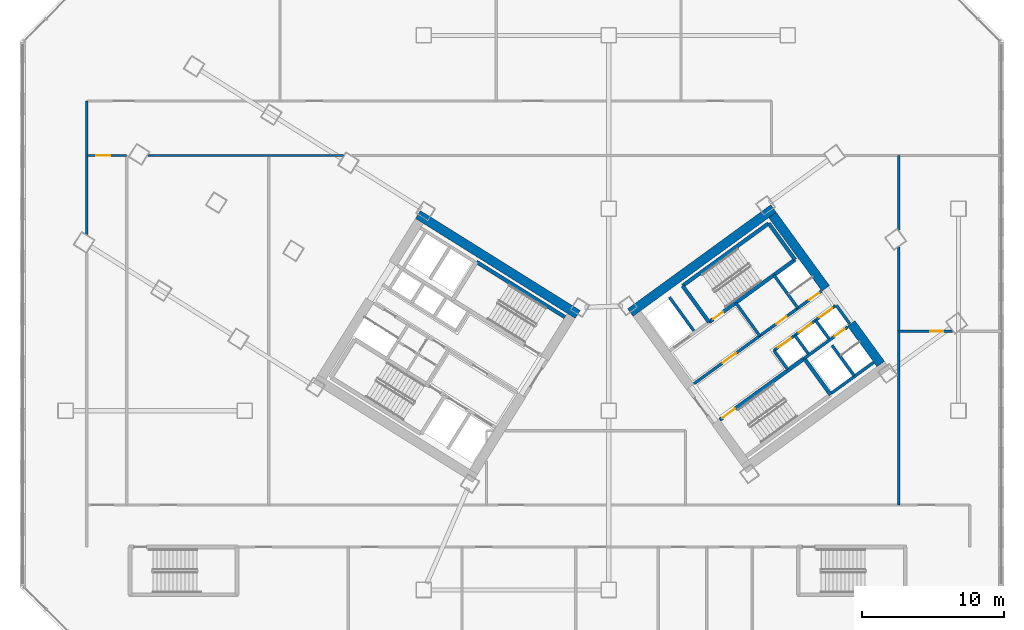
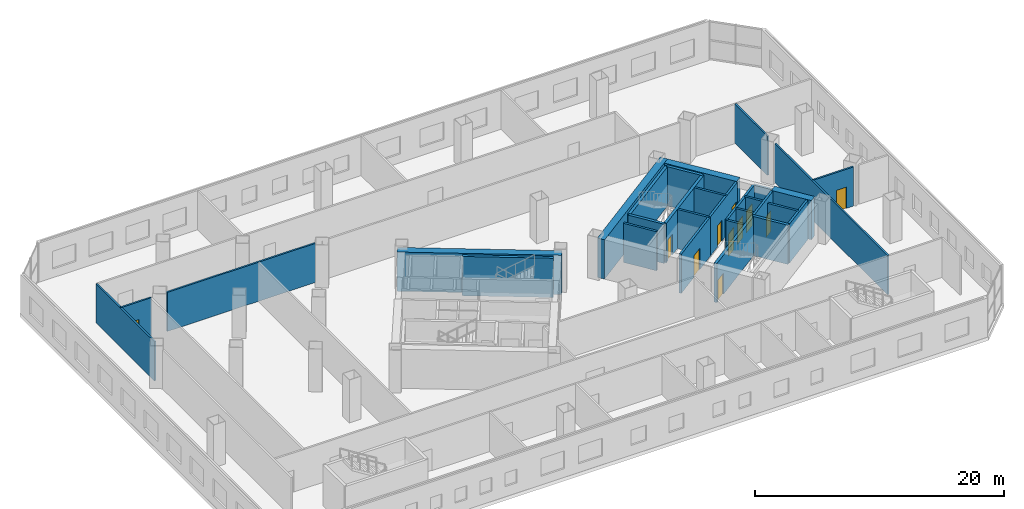
# One storey, part 13 of 22: 30 walls, 11 doors, 11 openings.
"""IFC4 building model written with IfcOpenShell, lengths in metres."""

from ifc_helpers import new_model, si_unit, direction, frame, frame_2d, origin, place, context, subcontext, project, spatial, rectangle, extrude, source, transform, mapped, material, layer, layer_set, type_object, element, fill, save


model = new_model("IFC4")

# Units and contexts
model_context = context("Model", 3, precision=1e-05, world=origin(), true_north=direction((0.0, 1.0)))
body_context = subcontext(model_context, "Body", "Model", "MODEL_VIEW")
ifc_project = project(units=[si_unit("LENGTHUNIT", "METRE"), si_unit("AREAUNIT", "SQUARE_METRE"), si_unit("VOLUMEUNIT", "CUBIC_METRE"), si_unit("PLANEANGLEUNIT", "RADIAN"), si_unit("MASSUNIT", "GRAM", prefix="KILO")], contexts=[model_context])

# Site, building, storey
site_placement = place(None, origin())
site = spatial("IfcSite", under=ifc_project, at=site_placement, CompositionType="ELEMENT")
building_placement = place(site_placement, origin())
building = spatial("IfcBuilding", under=site, at=building_placement, Name="Tlacorven Tower", CompositionType="ELEMENT")
storey_placement = place(building_placement, frame((0.0, 0.0, 10.199951171875)))
storey = spatial("IfcBuildingStorey", under=building, at=storey_placement, Name="L02", CompositionType="ELEMENT", Elevation=10.199951171875)

# Walls
ifc_material_1 = material(Name="Concrete C60/75", Category="concrete")
ifc_layer_1 = layer(ifc_material_1, 0.64990234375)
ifc_layer_set_1 = layer_set([ifc_layer_1], Name="Concrete C60/75")
wall_type_1 = type_object("IfcWallType", Name="WL-COR-650", PredefinedType="SHEAR", material=ifc_layer_set_1)
wall_1_placement = place(storey_placement, frame((40.615478515625, 23.9833984375, 0.0), z_axis=(0.0, 0.0, 1.0), x_axis=(-0.848045953968, 0.529922692436, 0.0)))
element("IfcWall", 1, at=wall_1_placement, inside=storey, type_object=wall_type_1, Name="L02 W core shear wall S1", PredefinedType="SHEAR", context=body_context, shape_type="SweptSolid", body=[
    extrude(rectangle(XDim=13.239990234375, YDim=0.64990234375, at=frame_2d((6.6201171875, 0.0))), origin(), (0.0, 0.0, 1.0), 3.85009765625),
])
wall_2_placement = place(storey_placement, frame((44.32470703125, 24.113037109375, 0.0), z_axis=(0.0, 0.0, 1.0), x_axis=(0.809012664862, 0.58779121131, 0.0)))
element("IfcWall", 2, at=wall_2_placement, inside=storey, type_object=wall_type_1, Name="L02 E core shear wall S2", PredefinedType="SHEAR", context=body_context, shape_type="SweptSolid", body=[
    extrude(rectangle(XDim=12.439697265625, YDim=0.64990234375, at=frame_2d((6.2197265625, 0.0))), origin(), (0.0, 0.0, 1.0), 3.85009765625),
])
wall_3_placement = place(storey_placement, frame((61.9287109375, 20.494384765625, 0.0), z_axis=(0.0, 0.0, 1.0), x_axis=(-0.58782982593, 0.808984607855, 0.0)))
element("IfcWall", 3, at=wall_3_placement, inside=storey, type_object=wall_type_1, Name="L02 E core end wall E2.1", PredefinedType="SHEAR", context=body_context, shape_type="SweptSolid", body=[
    extrude(rectangle(XDim=3.52490234375, YDim=0.64990234375, at=frame_2d((1.762451171875, 0.0))), origin(), (0.0, 0.0, 1.0), 3.85009765625),
])
wall_4_placement = place(storey_placement, frame((58.06396484375, 25.8134765625, 0.0), z_axis=(0.0, 0.0, 1.0), x_axis=(-0.58777996584, 0.809020835181, 0.0)))
element("IfcWall", 4, at=wall_4_placement, inside=storey, type_object=wall_type_1, Name="L02 E core end wall E2.2", PredefinedType="SHEAR", context=body_context, shape_type="SweptSolid", body=[
    extrude(rectangle(XDim=6.375, YDim=0.64990234375, at=frame_2d((3.1875, 0.0))), origin(), (0.0, 0.0, 1.0), 3.85009765625),
])
ifc_material_2 = material(Name="Gypsum plasterboard acoustic partition", Category="gypsum")
ifc_layer_2 = layer(ifc_material_2, 0.159912109375)
ifc_layer_set_2 = layer_set([ifc_layer_2], Name="Gypsum plasterboard acoustic partition")
wall_type_2 = type_object("IfcWallType", Name="WL-DEM-160", PredefinedType="PARTITIONING", material=ifc_layer_set_2)
wall_5_placement = place(storey_placement, frame((6.10009765625, 29.58740234375, 0.0), z_axis=(0.0, 0.0, 1.0), x_axis=(0.0, 1.0, 0.0)))
element("IfcWall", 5, at=wall_5_placement, inside=storey, type_object=wall_type_2, Name="L02 partition 75", PredefinedType="PARTITIONING", context=body_context, shape_type="SweptSolid", body=[
    extrude(rectangle(XDim=9.41259765625, YDim=0.159912109375, at=frame_2d((4.706298828125, 0.0))), origin(), (0.0, 0.0, 1.0), 3.840087890625),
])
wall_6_placement = place(storey_placement, frame((10.386474609375, 35.14990234375, 0.0), z_axis=(0.0, 0.0, 1.0), x_axis=(1.0, 0.0, 0.0)))
element("IfcWall", 6, at=wall_6_placement, inside=storey, type_object=wall_type_2, Name="L02 partition 77", PredefinedType="PARTITIONING", context=body_context, shape_type="SweptSolid", body=[
    extrude(rectangle(XDim=13.76806640625, YDim=0.159912109375, at=frame_2d((6.884033203125, 0.0))), origin(), (0.0, 0.0, 1.0), 3.840087890625),
])

# Wall, opening, door
wall_7_placement = place(storey_placement, frame((6.10009765625, 35.14990234375, 0.0), z_axis=(0.0, 0.0, 1.0), x_axis=(1.0, 0.0, 0.0)))
wall_7 = element("IfcWall", 7, at=wall_7_placement, inside=storey, type_object=wall_type_2, Name="L02 partition 80", PredefinedType="PARTITIONING", context=body_context, shape_type="SweptSolid", body=[
    extrude(rectangle(XDim=2.7998046875, YDim=0.159912109375, at=frame_2d((1.39990234375, 0.0))), origin(), (0.0, 0.0, 1.0), 3.840087890625),
])
opening_1_placement = place(wall_7_placement, frame((0.64990234375, 0.0, 0.0)))
opening_1 = element("IfcOpeningElement", 8, at=opening_1_placement, cuts=wall_7, Name="Opening D11", PredefinedType="OPENING", context=body_context, shape_type="SweptSolid", body=[
    extrude(rectangle(XDim=1.0, YDim=2.10009765625, at=frame_2d((0.5, 1.050048828125))), frame((0.0, 0.08984375, 0.0), z_axis=(0.0, -1.0, 0.0), x_axis=(1.0, 0.0, 0.0)), (0.0, 0.0, 1.0), 0.179931640625),
])
ifc_material_3 = material(Name="Fire-rated steel door assembly", Category="steel")
door_type_1 = type_object("IfcDoorType", Name="DR-FLT-FD60-1000", OperationType="NOTDEFINED", PredefinedType="DOOR", material=ifc_material_3)
shared_shape_1 = source(origin(), body_context, "Body", "SweptSolid", [
    extrude(rectangle(XDim=1.0, YDim=2.10009765625, at=frame_2d((0.5, 1.050048828125))), frame((0.0, 0.02490234375, 0.0), z_axis=(0.0, -1.0, 0.0), x_axis=(1.0, 0.0, 0.0)), (0.0, 0.0, 1.0), 0.050048828125),
])
door_1_placement = place(opening_1_placement, origin())
door_1 = element("IfcDoor", 9, at=door_1_placement, inside=storey, type_object=door_type_1, Name="L02 door 034", OperationType="SINGLE_SWING_LEFT", OverallHeight=2.10009765625, OverallWidth=1.0, PredefinedType="DOOR", context=body_context, shape_type="MappedRepresentation", body=[
    mapped(shared_shape_1, transform((0.0, 0.0, 0.0), scale=1.0)),
])
fill(opening_1, door_1)

# Walls
wall_8_placement = place(storey_placement, frame((63.199951171875, 10.580078125, 0.0), z_axis=(0.0, 0.0, 1.0), x_axis=(0.0, 1.0, 0.0)))
element("IfcWall", 10, at=wall_8_placement, inside=storey, type_object=wall_type_2, Name="L02 partition 85", PredefinedType="PARTITIONING", context=body_context, shape_type="SweptSolid", body=[
    extrude(rectangle(XDim=18.146728515625, YDim=0.159912109375, at=frame_2d((9.0732421875, 0.0))), origin(), (0.0, 0.0, 1.0), 3.840087890625),
])
wall_9_placement = place(storey_placement, frame((63.199951171875, 29.908447265625, 0.0), z_axis=(0.0, 0.0, 1.0), x_axis=(0.0, 1.0, 0.0)))
element("IfcWall", 11, at=wall_9_placement, inside=storey, type_object=wall_type_2, Name="L02 partition 85", PredefinedType="PARTITIONING", context=body_context, shape_type="SweptSolid", body=[
    extrude(rectangle(XDim=5.241455078125, YDim=0.159912109375, at=frame_2d((2.62060546875, 0.0))), origin(), (0.0, 0.0, 1.0), 3.840087890625),
])

# Wall, opening, door
wall_10_placement = place(storey_placement, frame((63.199951171875, 22.800048828125, 0.0), z_axis=(0.0, 0.0, 1.0), x_axis=(1.0, 0.0, 0.0)))
wall_10 = element("IfcWall", 12, at=wall_10_placement, inside=storey, type_object=wall_type_2, Name="L02 partition 88", PredefinedType="PARTITIONING", context=body_context, shape_type="SweptSolid", body=[
    extrude(rectangle(XDim=3.775390625, YDim=0.159912109375, at=frame_2d((1.8876953125, 0.0))), origin(), (0.0, 0.0, 1.0), 3.840087890625),
])
opening_2_placement = place(wall_10_placement, frame((2.199951171875, 0.0, 0.0)))
opening_2 = element("IfcOpeningElement", 13, at=opening_2_placement, cuts=wall_10, Name="Opening D12", PredefinedType="OPENING", context=body_context, shape_type="SweptSolid", body=[
    extrude(rectangle(XDim=0.919921875, YDim=2.080078125, at=frame_2d((0.4599609375, 1.0400390625))), frame((0.0, 0.08984375, 0.0), z_axis=(0.0, -1.0, 0.0), x_axis=(1.0, 0.0, 0.0)), (0.0, 0.0, 1.0), 0.179931640625),
])
ifc_material_4 = material(Name="Powder-coated aluminium and timber door", Category="wood")
door_type_2 = type_object("IfcDoorType", Name="DR-INT-ROOM-0920", OperationType="NOTDEFINED", PredefinedType="DOOR", material=ifc_material_4)
shared_shape_2 = source(origin(), body_context, "Body", "SweptSolid", [
    extrude(rectangle(XDim=0.919921875, YDim=2.080078125, at=frame_2d((0.4599609375, 1.0400390625))), frame((0.0, 0.02490234375, 0.0), z_axis=(0.0, -1.0, 0.0), x_axis=(1.0, 0.0, 0.0)), (0.0, 0.0, 1.0), 0.050048828125),
])
door_2_placement = place(opening_2_placement, origin())
door_2 = element("IfcDoor", 14, at=door_2_placement, inside=storey, type_object=door_type_2, Name="L02 door 041", OperationType="SINGLE_SWING_LEFT", OverallHeight=2.080078125, OverallWidth=0.919921875, PredefinedType="DOOR", context=body_context, shape_type="MappedRepresentation", body=[
    mapped(shared_shape_2, transform((0.0, 0.0, 0.0), scale=1.0)),
])
fill(opening_2, door_2)

ifc_material_5 = material(Name="Concrete C40/50", Category="concrete")
ifc_layer_3 = layer(ifc_material_5, 0.199951171875)
ifc_layer_set_3 = layer_set([ifc_layer_3], Name="Concrete C40/50")
wall_type_3 = type_object("IfcWallType", Name="WL-SHF-200", PredefinedType="STANDARD", material=ifc_layer_set_3)
wall_11_placement = place(storey_placement, frame((48.798828125, 19.106689453125, 0.0), z_axis=(0.0, 0.0, 1.0), x_axis=(0.809012959416, 0.587790805897, 0.0)))
wall_11 = element("IfcWall", 15, at=wall_11_placement, inside=storey, type_object=wall_type_3, Name="L02 Core E Smoke Lobby Wall", PredefinedType="STANDARD", context=body_context, shape_type="SweptSolid", body=[
    extrude(rectangle(XDim=5.7177734375, YDim=0.199951171875, at=frame_2d((2.85888671875, 0.0))), origin(), (0.0, 0.0, 1.0), 3.840087890625),
])
opening_3_placement = place(wall_11_placement, frame((2.498046875, 0.0, 0.0)))
opening_3 = element("IfcOpeningElement", 16, at=opening_3_placement, cuts=wall_11, Name="Opening D09", PredefinedType="OPENING", context=body_context, shape_type="SweptSolid", body=[
    extrude(rectangle(XDim=1.14990234375, YDim=2.10009765625, at=frame_2d((0.574951171875, 1.050048828125))), frame((0.0, 0.10986328125, 0.0), z_axis=(0.0, -1.0, 0.0), x_axis=(1.0, 0.0, 0.0)), (0.0, 0.0, 1.0), 0.219970703125),
])
door_type_3 = type_object("IfcDoorType", Name="DR-FFL-FD60-1150", OperationType="NOTDEFINED", PredefinedType="DOOR", material=ifc_material_3)
shared_shape_3 = source(origin(), body_context, "Body", "SweptSolid", [
    extrude(rectangle(XDim=1.14990234375, YDim=2.10009765625, at=frame_2d((0.574951171875, 1.050048828125))), frame((0.0, 0.02490234375, 0.0), z_axis=(0.0, -1.0, 0.0), x_axis=(1.0, 0.0, 0.0)), (0.0, 0.0, 1.0), 0.050048828125),
])
door_3_placement = place(opening_3_placement, origin())
door_3 = element("IfcDoor", 17, at=door_3_placement, inside=storey, type_object=door_type_3, Name="L02 Firefighting Lobby E Fire Door", OperationType="SINGLE_SWING_RIGHT", OverallHeight=2.10009765625, OverallWidth=1.14990234375, PredefinedType="DOOR", context=body_context, shape_type="MappedRepresentation", body=[
    mapped(shared_shape_3, transform((0.0, 0.0, 0.0), scale=1.0)),
])
fill(opening_3, door_3)

wall_12_placement = place(storey_placement, frame((56.552978515625, 20.884033203125, 0.0), z_axis=(0.0, 0.0, 1.0), x_axis=(0.809035789462, 0.587759382205, 0.0)))
wall_12 = element("IfcWall", 18, at=wall_12_placement, inside=storey, type_object=wall_type_3, Name="L02 Core E South Lift Shaft Wall", PredefinedType="STANDARD", context=body_context, shape_type="SweptSolid", body=[
    extrude(rectangle(XDim=3.767822265625, YDim=0.199951171875, at=frame_2d((1.8837890625, 0.0))), origin(), (0.0, 0.0, 1.0), 3.840087890625),
])
opening_4_placement = place(wall_12_placement, frame((2.64990234375, 0.0, 0.0)))
opening_4 = element("IfcOpeningElement", 19, at=opening_4_placement, cuts=wall_12, Name="Opening D19", PredefinedType="OPENING", context=body_context, shape_type="SweptSolid", body=[
    extrude(rectangle(XDim=0.860107421875, YDim=2.050048828125, at=frame_2d((0.43017578125, 1.02490234375))), frame((0.0, 0.10986328125, 0.0), z_axis=(0.0, -1.0, 0.0), x_axis=(1.0, 0.0, 0.0)), (0.0, 0.0, 1.0), 0.219970703125),
])
door_type_4 = type_object("IfcDoorType", Name="DR-RSR-FD60-0860", OperationType="NOTDEFINED", PredefinedType="DOOR", material=ifc_material_3)
shared_shape_4 = source(origin(), body_context, "Body", "SweptSolid", [
    extrude(rectangle(XDim=0.860107421875, YDim=2.050048828125, at=frame_2d((0.43017578125, 1.02490234375))), frame((0.0, 0.02490234375, 0.0), z_axis=(0.0, -1.0, 0.0), x_axis=(1.0, 0.0, 0.0)), (0.0, 0.0, 1.0), 0.050048828125),
])
door_4_placement = place(opening_4_placement, origin())
door_4 = element("IfcDoor", 20, at=door_4_placement, inside=storey, type_object=door_type_4, Name="L02 Smoke Extract Riser Access Door", OperationType="SINGLE_SWING_LEFT", OverallHeight=2.050048828125, OverallWidth=0.860107421875, PredefinedType="DOOR", context=body_context, shape_type="MappedRepresentation", body=[
    mapped(shared_shape_4, transform((0.0, 0.0, 0.0), scale=1.0)),
])
fill(opening_4, door_4)

# Wall, openings, doors
wall_13_placement = place(storey_placement, frame((54.421142578125, 21.436279296875, 0.0), z_axis=(0.0, 0.0, 1.0), x_axis=(0.809013710463, 0.587789772183, 0.0)))
wall_13 = element("IfcWall", 21, at=wall_13_placement, inside=storey, type_object=wall_type_3, Name="L02 partition 39", PredefinedType="STANDARD", context=body_context, shape_type="SweptSolid", body=[
    extrude(rectangle(XDim=5.360107421875, YDim=0.199951171875, at=frame_2d((2.68017578125, 0.0))), origin(), (0.0, 0.0, 1.0), 3.840087890625),
])
opening_5_placement = place(wall_13_placement, frame((0.3701171875, 0.0, 0.0)))
opening_5 = element("IfcOpeningElement", 22, at=opening_5_placement, cuts=wall_13, Name="Opening LD01", PredefinedType="OPENING", context=body_context, shape_type="SweptSolid", body=[
    extrude(rectangle(XDim=1.10009765625, YDim=2.14990234375, at=frame_2d((0.550048828125, 1.074951171875))), frame((0.0, 0.10986328125, 0.0), z_axis=(0.0, -1.0, 0.0), x_axis=(1.0, 0.0, 0.0)), (0.0, 0.0, 1.0), 0.219970703125),
])
opening_6_placement = place(wall_13_placement, frame((2.169921875, 0.0, 0.0)))
opening_6 = element("IfcOpeningElement", 23, at=opening_6_placement, cuts=wall_13, Name="Opening LD01", PredefinedType="OPENING", context=body_context, shape_type="SweptSolid", body=[
    extrude(rectangle(XDim=1.10009765625, YDim=2.14990234375, at=frame_2d((0.550048828125, 1.074951171875))), frame((0.0, 0.10986328125, 0.0), z_axis=(0.0, -1.0, 0.0), x_axis=(1.0, 0.0, 0.0)), (0.0, 0.0, 1.0), 0.219970703125),
])
opening_7_placement = place(wall_13_placement, frame((3.969970703125, 0.0, 0.0)))
opening_7 = element("IfcOpeningElement", 24, at=opening_7_placement, cuts=wall_13, Name="Opening LD01", PredefinedType="OPENING", context=body_context, shape_type="SweptSolid", body=[
    extrude(rectangle(XDim=1.10009765625, YDim=2.14990234375, at=frame_2d((0.550048828125, 1.074951171875))), frame((0.0, 0.10986328125, 0.0), z_axis=(0.0, -1.0, 0.0), x_axis=(1.0, 0.0, 0.0)), (0.0, 0.0, 1.0), 0.219970703125),
])
door_type_5 = type_object("IfcDoorType", Name="DR-LFT-SLID-1100", OperationType="DOUBLE_DOOR_SLIDING", PredefinedType="DOOR", material=ifc_material_3)
shared_shape_5 = source(origin(), body_context, "Body", "SweptSolid", [
    extrude(rectangle(XDim=1.10009765625, YDim=2.14990234375, at=frame_2d((0.550048828125, 1.074951171875))), frame((0.0, 0.02490234375, 0.0), z_axis=(0.0, -1.0, 0.0), x_axis=(1.0, 0.0, 0.0)), (0.0, 0.0, 1.0), 0.050048828125),
])
door_5_placement = place(opening_5_placement, origin())
door_5 = element("IfcDoor", 25, at=door_5_placement, inside=storey, type_object=door_type_5, Name="L02 Lift PL-L1 Sliding Landing Door", OperationType="DOUBLE_DOOR_SLIDING", OverallHeight=2.14990234375, OverallWidth=1.10009765625, PredefinedType="DOOR", context=body_context, shape_type="MappedRepresentation", body=[
    mapped(shared_shape_5, transform((0.0, 0.0, 0.0), scale=1.0)),
])
fill(opening_5, door_5)
door_6_placement = place(opening_6_placement, origin())
door_6 = element("IfcDoor", 26, at=door_6_placement, inside=storey, type_object=door_type_5, Name="L02 Lift PL-L2 Sliding Landing Door", OperationType="DOUBLE_DOOR_SLIDING", OverallHeight=2.14990234375, OverallWidth=1.10009765625, PredefinedType="DOOR", context=body_context, shape_type="MappedRepresentation", body=[
    mapped(shared_shape_5, transform((0.0, 0.0, 0.0), scale=1.0)),
])
fill(opening_6, door_6)
door_7_placement = place(opening_7_placement, origin())
door_7 = element("IfcDoor", 27, at=door_7_placement, inside=storey, type_object=door_type_5, Name="L02 Lift PL-L3 Sliding Landing Door", OperationType="DOUBLE_DOOR_SLIDING", OverallHeight=2.14990234375, OverallWidth=1.10009765625, PredefinedType="DOOR", context=body_context, shape_type="MappedRepresentation", body=[
    mapped(shared_shape_5, transform((0.0, 0.0, 0.0), scale=1.0)),
])
fill(opening_7, door_7)

# Walls
wall_14_placement = place(storey_placement, frame((55.390869140625, 20.1015625, 0.0), z_axis=(0.0, 0.0, 1.0), x_axis=(-0.58778447739, 0.809017557374, 0.0)))
element("IfcWall", 28, at=wall_14_placement, inside=storey, type_object=wall_type_3, Name="L02 partition 40", PredefinedType="STANDARD", context=body_context, shape_type="SweptSolid", body=[
    extrude(rectangle(XDim=1.64990234375, YDim=0.199951171875, at=frame_2d((0.824951171875, 0.0))), origin(), (0.0, 0.0, 1.0), 3.840087890625),
])
wall_15_placement = place(storey_placement, frame((48.78564453125, 22.830078125, 0.0), z_axis=(0.0, 0.0, 1.0), x_axis=(-0.587783856777, 0.809018008275, 0.0)))
element("IfcWall", 29, at=wall_15_placement, inside=storey, type_object=wall_type_3, Name="L02 partition 41", PredefinedType="STANDARD", context=body_context, shape_type="SweptSolid", body=[
    extrude(rectangle(XDim=2.919921875, YDim=0.199951171875, at=frame_2d((1.4599609375, 0.0))), origin(), (0.0, 0.0, 1.0), 3.840087890625),
])
wall_16_placement = place(storey_placement, frame((56.833984375, 21.211669921875, 0.0), z_axis=(0.0, 0.0, 1.0), x_axis=(-0.58776738483, 0.809029975545, 0.0)))
element("IfcWall", 30, at=wall_16_placement, inside=storey, type_object=wall_type_3, Name="L02 partition 42", PredefinedType="STANDARD", context=body_context, shape_type="SweptSolid", body=[
    extrude(rectangle(XDim=1.580078125, YDim=0.199951171875, at=frame_2d((0.7900390625, 0.0))), origin(), (0.0, 0.0, 1.0), 3.840087890625),
])
wall_17_placement = place(storey_placement, frame((58.290283203125, 22.269775390625, 0.0), z_axis=(0.0, 0.0, 1.0), x_axis=(-0.587840865826, 0.808976585857, 0.0)))
element("IfcWall", 31, at=wall_17_placement, inside=storey, type_object=wall_type_3, Name="L02 partition 43", PredefinedType="STANDARD", context=body_context, shape_type="SweptSolid", body=[
    extrude(rectangle(XDim=1.579833984375, YDim=0.199951171875, at=frame_2d((0.7900390625, 0.0))), origin(), (0.0, 0.0, 1.0), 3.840087890625),
])
wall_18_placement = place(storey_placement, frame((59.75830078125, 23.3115234375, 0.0), z_axis=(0.0, 0.0, 1.0), x_axis=(-0.587875962906, 0.808951081486, 0.0)))
element("IfcWall", 32, at=wall_18_placement, inside=storey, type_object=wall_type_3, Name="L02 partition 44", PredefinedType="STANDARD", context=body_context, shape_type="SweptSolid", body=[
    extrude(rectangle(XDim=1.6201171875, YDim=0.199951171875, at=frame_2d((0.81005859375, 0.0))), origin(), (0.0, 0.0, 1.0), 3.840087890625),
])
wall_19_placement = place(storey_placement, frame((60.066650390625, 19.654541015625, 0.0), z_axis=(0.0, 0.0, 1.0), x_axis=(-0.587800520745, 0.809005900975, 0.0)))
element("IfcWall", 33, at=wall_19_placement, inside=storey, type_object=wall_type_3, Name="L02 partition 45", PredefinedType="STANDARD", context=body_context, shape_type="SweptSolid", body=[
    extrude(rectangle(XDim=2.659912109375, YDim=0.199951171875, at=frame_2d((1.330078125, 0.0))), origin(), (0.0, 0.0, 1.0), 3.840087890625),
])
wall_20_placement = place(storey_placement, frame((58.47216796875, 18.446533203125, 0.0), z_axis=(0.0, 0.0, 1.0), x_axis=(0.809022487728, 0.587777691266, 0.0)))
element("IfcWall", 34, at=wall_20_placement, inside=storey, type_object=wall_type_3, Name="L02 partition 47", PredefinedType="STANDARD", context=body_context, shape_type="SweptSolid", body=[
    extrude(rectangle(XDim=3.648193359375, YDim=0.199951171875, at=frame_2d((1.82421875, 0.0))), origin(), (0.0, 0.0, 1.0), 3.840087890625),
])
wall_21_placement = place(storey_placement, frame((53.424560546875, 22.467529296875, 0.0), z_axis=(0.0, 0.0, 1.0), x_axis=(-0.5877230039, 0.809062216821, 0.0)))
element("IfcWall", 35, at=wall_21_placement, inside=storey, type_object=wall_type_3, Name="L02 partition 49", PredefinedType="STANDARD", context=body_context, shape_type="SweptSolid", body=[
    extrude(rectangle(XDim=2.8798828125, YDim=0.199951171875, at=frame_2d((1.43994140625, 0.0))), origin(), (0.0, 0.0, 1.0), 3.840087890625),
])
wall_22_placement = place(storey_placement, frame((56.110595703125, 24.4189453125, 0.0), z_axis=(0.0, 0.0, 1.0), x_axis=(-0.58777848983, 0.809021907548, 0.0)))
element("IfcWall", 36, at=wall_22_placement, inside=storey, type_object=wall_type_3, Name="L02 partition 50", PredefinedType="STANDARD", context=body_context, shape_type="SweptSolid", body=[
    extrude(rectangle(XDim=2.880126953125, YDim=0.199951171875, at=frame_2d((1.43994140625, 0.0))), origin(), (0.0, 0.0, 1.0), 3.840087890625),
])

# Wall, openings, doors
wall_23_placement = place(storey_placement, frame((53.424560546875, 22.467529296875, 0.0), z_axis=(0.0, 0.0, 1.0), x_axis=(0.80902705128, 0.587771409902, 0.0)))
wall_23 = element("IfcWall", 37, at=wall_23_placement, inside=storey, type_object=wall_type_3, Name="L02 Core E North Service Wall", PredefinedType="STANDARD", context=body_context, shape_type="SweptSolid", body=[
    extrude(rectangle(XDim=5.3681640625, YDim=0.199951171875, at=frame_2d((2.68408203125, 0.0))), origin(), (0.0, 0.0, 1.0), 3.840087890625),
])
opening_8_placement = place(wall_23_placement, frame((4.280029296875, 0.0, 0.0)))
opening_8 = element("IfcOpeningElement", 38, at=opening_8_placement, cuts=wall_23, Name="Opening D19", PredefinedType="OPENING", context=body_context, shape_type="SweptSolid", body=[
    extrude(rectangle(XDim=0.860107421875, YDim=2.050048828125, at=frame_2d((0.43017578125, 1.02490234375))), frame((0.0, 0.10986328125, 0.0), z_axis=(0.0, -1.0, 0.0), x_axis=(1.0, 0.0, 0.0)), (0.0, 0.0, 1.0), 0.219970703125),
])
opening_9_placement = place(wall_23_placement, frame((1.449951171875, 0.0, 0.0)))
opening_9 = element("IfcOpeningElement", 39, at=opening_9_placement, cuts=wall_23, Name="Opening D19", PredefinedType="OPENING", context=body_context, shape_type="SweptSolid", body=[
    extrude(rectangle(XDim=0.860107421875, YDim=2.050048828125, at=frame_2d((0.43017578125, 1.02490234375))), frame((0.0, 0.10986328125, 0.0), z_axis=(0.0, -1.0, 0.0), x_axis=(1.0, 0.0, 0.0)), (0.0, 0.0, 1.0), 0.219970703125),
])
door_8_placement = place(opening_8_placement, frame((0.860107421875, 0.0, 0.0), z_axis=(0.0, 0.0, 1.0), x_axis=(-1.0, 0.0, 0.0)))
door_8 = element("IfcDoor", 40, at=door_8_placement, inside=storey, type_object=door_type_4, Name="L02 Electrical Riser Access Door E", OperationType="SINGLE_SWING_RIGHT", OverallHeight=2.050048828125, OverallWidth=0.860107421875, PredefinedType="DOOR", context=body_context, shape_type="MappedRepresentation", body=[
    mapped(shared_shape_4, transform((0.0, 0.0, 0.0), scale=1.0)),
])
fill(opening_8, door_8)
door_9_placement = place(opening_9_placement, frame((0.860107421875, 0.0, 0.0), z_axis=(0.0, 0.0, 1.0), x_axis=(-1.0, 0.0, 0.0)))
door_9 = element("IfcDoor", 41, at=door_9_placement, inside=storey, type_object=door_type_4, Name="L02 Housekeeping Linen Access Door E", OperationType="SINGLE_SWING_LEFT", OverallHeight=2.050048828125, OverallWidth=0.860107421875, PredefinedType="DOOR", context=body_context, shape_type="MappedRepresentation", body=[
    mapped(shared_shape_4, transform((0.0, 0.0, 0.0), scale=1.0)),
])
fill(opening_9, door_9)

# Walls
ifc_material_6 = material(Name="Concrete C50/60", Category="concrete")
ifc_layer_4 = layer(ifc_material_6, 0.260009765625)
ifc_layer_set_4 = layer_set([ifc_layer_4], Name="Concrete C50/60")
wall_type_4 = type_object("IfcWallType", Name="WL-STW-260", PredefinedType="SHEAR", material=ifc_layer_set_4)
wall_24_placement = place(storey_placement, frame((39.720947265625, 23.787841796875, 0.0), z_axis=(0.0, 0.0, 1.0), x_axis=(-0.848054434086, 0.529909121291, 0.0)))
element("IfcWall", 42, at=wall_24_placement, inside=storey, type_object=wall_type_4, Name="L02 Stair W2 Far Shear Wall", PredefinedType="SHEAR", context=body_context, shape_type="SweptSolid", body=[
    extrude(rectangle(XDim=7.330078125, YDim=0.260009765625, at=frame_2d((3.6650390625, 0.0))), origin(), (0.0, 0.0, 1.0), 3.85009765625),
])
wall_25_placement = place(storey_placement, frame((48.005615234375, 25.996337890625, 0.0), z_axis=(0.0, 0.0, 1.0), x_axis=(0.80901903764, 0.587782439969, 0.0)))
element("IfcWall", 43, at=wall_25_placement, inside=storey, type_object=wall_type_4, Name="L02 Stair E1 Far Shear Wall", PredefinedType="SHEAR", context=body_context, shape_type="SweptSolid", body=[
    extrude(rectangle(XDim=7.4599609375, YDim=0.260009765625, at=frame_2d((3.72998046875, 0.0))), origin(), (0.0, 0.0, 1.0), 3.85009765625),
])

# Wall, opening, door
wall_26_placement = place(storey_placement, frame((49.863037109375, 23.439697265625, 0.0), z_axis=(0.0, 0.0, 1.0), x_axis=(0.809003474932, 0.587803859759, 0.0)))
wall_26 = element("IfcWall", 44, at=wall_26_placement, inside=storey, type_object=wall_type_4, Name="L02 Stair E1 Lobby Shear Wall", PredefinedType="SHEAR", context=body_context, shape_type="SweptSolid", body=[
    extrude(rectangle(XDim=7.4599609375, YDim=0.260009765625, at=frame_2d((3.72998046875, 0.0))), origin(), (0.0, 0.0, 1.0), 3.85009765625),
])
opening_10_placement = place(wall_26_placement, frame((0.360107421875, 0.0, 0.0)))
opening_10 = element("IfcOpeningElement", 45, at=opening_10_placement, cuts=wall_26, Name="Opening D19", PredefinedType="OPENING", context=body_context, shape_type="SweptSolid", body=[
    extrude(rectangle(XDim=0.860107421875, YDim=2.050048828125, at=frame_2d((0.43017578125, 1.02490234375))), frame((0.0, 0.14013671875, 0.0), z_axis=(0.0, -1.0, 0.0), x_axis=(1.0, 0.0, 0.0)), (0.0, 0.0, 1.0), 0.280029296875),
])
door_10_placement = place(opening_10_placement, frame((0.860107421875, 0.0, 0.0), z_axis=(0.0, 0.0, 1.0), x_axis=(-1.0, 0.0, 0.0)))
door_10 = element("IfcDoor", 46, at=door_10_placement, inside=storey, type_object=door_type_4, Name="L02 Exit Stair E1 Fire Door", OperationType="SINGLE_SWING_LEFT", OverallHeight=2.050048828125, OverallWidth=0.860107421875, PredefinedType="DOOR", context=body_context, shape_type="MappedRepresentation", body=[
    mapped(shared_shape_4, transform((0.0, 0.0, 0.0), scale=1.0)),
])
fill(opening_10, door_10)

# Walls
wall_27_placement = place(storey_placement, frame((49.85498046875, 23.433837890625, 0.0), z_axis=(0.0, 0.0, 1.0), x_axis=(-0.58776738483, 0.809029975545, 0.0)))
element("IfcWall", 47, at=wall_27_placement, inside=storey, type_object=wall_type_4, Name="L02 Stair E1 West Shear Wall", PredefinedType="SHEAR", context=body_context, shape_type="SweptSolid", body=[
    extrude(rectangle(XDim=3.16015625, YDim=0.260009765625, at=frame_2d((1.580078125, 0.0))), origin(), (0.0, 0.0, 1.0), 3.85009765625),
])
wall_28_placement = place(storey_placement, frame((55.906494140625, 27.83056640625, 0.0), z_axis=(0.0, 0.0, 1.0), x_axis=(-0.587804123638, 0.809003283204, 0.0)))
element("IfcWall", 48, at=wall_28_placement, inside=storey, type_object=wall_type_4, Name="L02 Stair E1 East Shear Wall", PredefinedType="SHEAR", context=body_context, shape_type="SweptSolid", body=[
    extrude(rectangle(XDim=3.159912109375, YDim=0.260009765625, at=frame_2d((1.580078125, 0.0))), origin(), (0.0, 0.0, 1.0), 3.85009765625),
])

# Wall, opening, door
wall_29_placement = place(storey_placement, frame((50.61474609375, 16.569580078125, 0.0), z_axis=(0.0, 0.0, 1.0), x_axis=(0.809028366311, 0.587769599847, 0.0)))
wall_29 = element("IfcWall", 49, at=wall_29_placement, inside=storey, type_object=wall_type_4, Name="L02 Stair E2 Lobby Shear Wall", PredefinedType="SHEAR", context=body_context, shape_type="SweptSolid", body=[
    extrude(rectangle(XDim=7.330078125, YDim=0.260009765625, at=frame_2d((3.6650390625, 0.0))), origin(), (0.0, 0.0, 1.0), 3.85009765625),
])
opening_11_placement = place(wall_29_placement, frame((0.219970703125, 0.0, 0.0)))
opening_11 = element("IfcOpeningElement", 50, at=opening_11_placement, cuts=wall_29, Name="Opening D07", PredefinedType="OPENING", context=body_context, shape_type="SweptSolid", body=[
    extrude(rectangle(XDim=1.10009765625, YDim=2.10009765625, at=frame_2d((0.550048828125, 1.050048828125))), frame((0.0, 0.14013671875, 0.0), z_axis=(0.0, -1.0, 0.0), x_axis=(1.0, 0.0, 0.0)), (0.0, 0.0, 1.0), 0.280029296875),
])
door_type_6 = type_object("IfcDoorType", Name="DR-STR-FD90-1100", OperationType="NOTDEFINED", PredefinedType="DOOR", material=ifc_material_3)
shared_shape_6 = source(origin(), body_context, "Body", "SweptSolid", [
    extrude(rectangle(XDim=1.10009765625, YDim=2.10009765625, at=frame_2d((0.550048828125, 1.050048828125))), frame((0.0, 0.02490234375, 0.0), z_axis=(0.0, -1.0, 0.0), x_axis=(1.0, 0.0, 0.0)), (0.0, 0.0, 1.0), 0.050048828125),
])
door_11_placement = place(opening_11_placement, origin())
door_11 = element("IfcDoor", 51, at=door_11_placement, inside=storey, type_object=door_type_6, Name="L02 Exit Stair E2 Fire Door", OperationType="SINGLE_SWING_LEFT", OverallHeight=2.10009765625, OverallWidth=1.10009765625, PredefinedType="DOOR", context=body_context, shape_type="MappedRepresentation", body=[
    mapped(shared_shape_6, transform((0.0, 0.0, 0.0), scale=1.0)),
])
fill(opening_11, door_11)

# Wall
wall_30_placement = place(storey_placement, frame((58.410400390625, 18.327392578125, 0.0), z_axis=(0.0, 0.0, 1.0), x_axis=(-0.58776738483, 0.809029975545, 0.0)))
element("IfcWall", 52, at=wall_30_placement, inside=storey, type_object=wall_type_4, Name="L02 Stair E2 East Shear Wall", PredefinedType="SHEAR", context=body_context, shape_type="SweptSolid", body=[
    extrude(rectangle(XDim=3.16015625, YDim=0.260009765625, at=frame_2d((1.580078125, 0.0))), origin(), (0.0, 0.0, 1.0), 3.85009765625),
])

save(model, "model.ifc")
